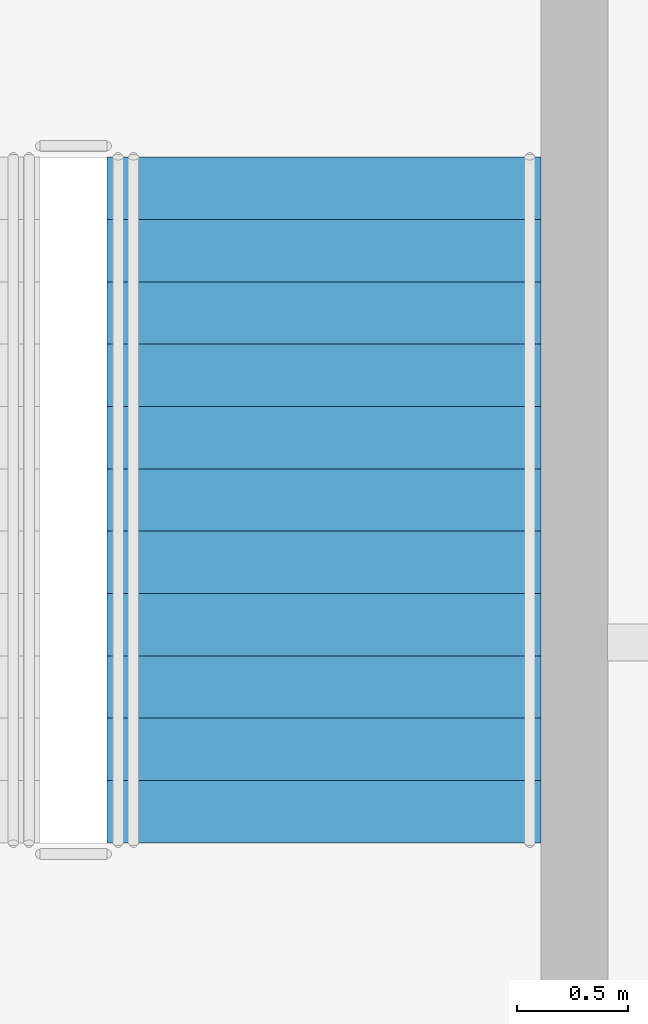
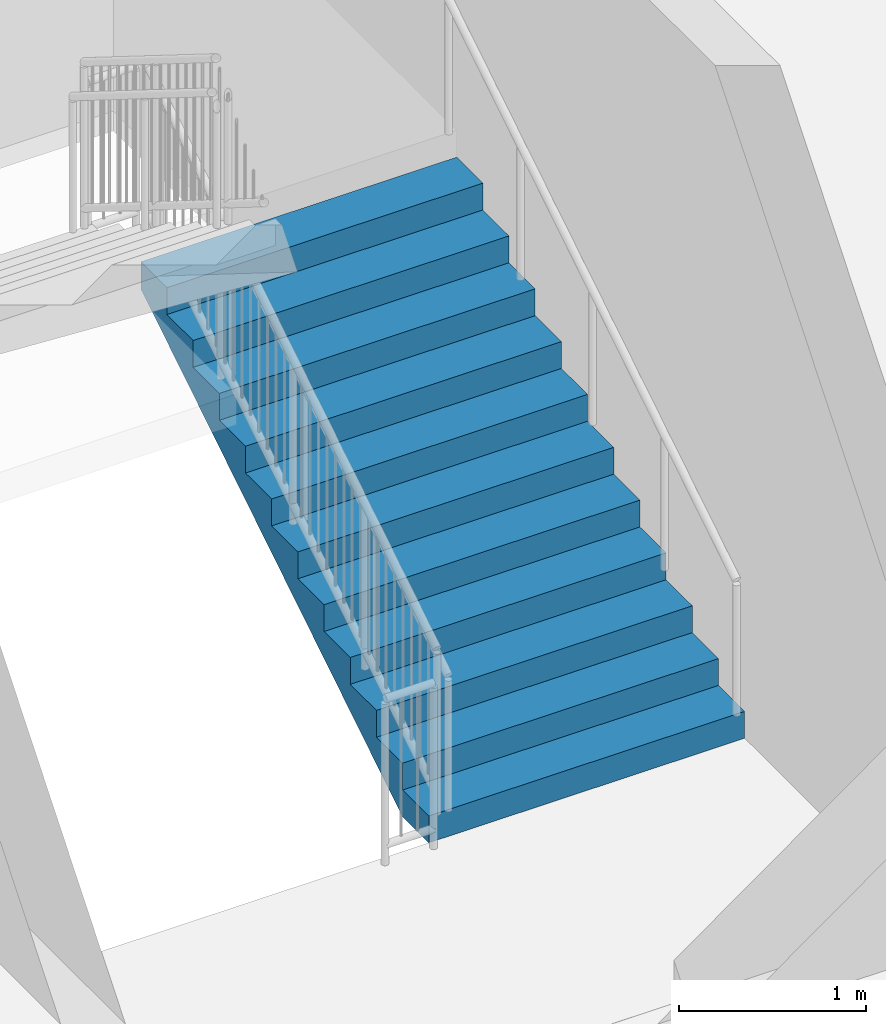
# One storey, part 38 of 62: 1 stair flight, 1 element without a shape of its own.
"""IFC4 building model written with IfcOpenShell, lengths in metres."""

from ifc_helpers import new_model, si_unit, direction, frame, origin, place, context, subcontext, project, spatial, polyline, outline, extrude, material, layer, layer_set, type_object, element, aggregate, save


model = new_model("IFC4")

# Units and contexts
model_context = context("Model", 3, precision=1e-05, world=origin(), true_north=direction((0.0, 1.0)))
body_context = subcontext(model_context, "Body", "Model", "MODEL_VIEW")
ifc_project = project(units=[si_unit("LENGTHUNIT", "METRE"), si_unit("AREAUNIT", "SQUARE_METRE"), si_unit("VOLUMEUNIT", "CUBIC_METRE"), si_unit("PLANEANGLEUNIT", "RADIAN"), si_unit("MASSUNIT", "GRAM", prefix="KILO")], contexts=[model_context])

# Site, building, storey
site_placement = place(None, origin())
site = spatial("IfcSite", under=ifc_project, at=site_placement, CompositionType="ELEMENT")
building_placement = place(site_placement, origin())
building = spatial("IfcBuilding", under=site, at=building_placement, Name="Hortulan Conservatory and Botanical Research Centre", CompositionType="ELEMENT")
storey_placement = place(building_placement, frame((0.0, 0.0, 15.0)))
storey = spatial("IfcBuildingStorey", under=building, at=storey_placement, Name="L03", CompositionType="ELEMENT", Elevation=15.0)

# Stair, stair flight
ifc_material = material(Name="Concrete N40 (40 MPa, AS 3600)", Category="concrete")
stair_type = type_object("IfcStairType", Name="Concrete Escape Stair 1950", PredefinedType="HALF_TURN_STAIR", material=ifc_material)
stair_placement = place(storey_placement, origin())
stair = element("IfcStair", 1, at=stair_placement, inside=storey, type_object=stair_type, Name="Stair V2 L03", PredefinedType="HALF_TURN_STAIR")
ifc_layer = layer(ifc_material, 0.14990234375)
ifc_layer_set = layer_set([ifc_layer], Name="Stair Flight 1950 wide, riser 175")
stair_flight_type = type_object("IfcStairFlightType", Name="Stair Flight 1950 wide, riser 175", PredefinedType="STRAIGHT", material=ifc_layer_set)
stair_flight_placement = place(storey_placement, frame((25.875, 65.10009765625, 0.0), z_axis=(0.0, 0.0, 1.0), x_axis=(0.0, 1.0, 0.0)))
stair_flight = element("IfcStairFlight", 2, at=stair_flight_placement, type_object=stair_flight_type, Name="Stair V2 L03 flight 1", NumberOfRisers=12, NumberOfTreads=11, PredefinedType="STRAIGHT", RiserHeight=0.175, TreadLength=0.28, context=body_context, shape_type="SweptSolid", body=[
    extrude(outline(polyline([(0.0, 0.0), (0.0, 0.175048828125), (0.280029296875, 0.175048828125), (0.280029296875, 0.35009765625), (0.56005859375, 0.35009765625), (0.56005859375, 0.52490234375), (0.840087890625, 0.52490234375), (0.840087890625, 0.699951171875), (1.1201171875, 0.699951171875), (1.1201171875, 0.875), (1.39990234375, 0.875), (1.39990234375, 1.050048828125), (1.679931640625, 1.050048828125), (1.679931640625, 1.22509765625), (1.9599609375, 1.22509765625), (1.9599609375, 1.39990234375), (2.239990234375, 1.39990234375), (2.239990234375, 1.574951171875), (2.52001953125, 1.574951171875), (2.52001953125, 1.75), (2.800048828125, 1.75), (2.800048828125, 1.925048828125), (3.080078125, 1.925048828125), (3.080078125, 2.10009765625), (3.080078125, 1.748291015625), (0.28271484375, 0.0), (0.0, 0.0)])), frame((0.0, 0.97509765625, 0.0), z_axis=(0.0, -1.0, 0.0), x_axis=(1.0, 0.0, 0.0)), (0.0, 0.0, 1.0), 1.949951171875),
])
aggregate(stair, [stair_flight])

save(model, "model.ifc")
